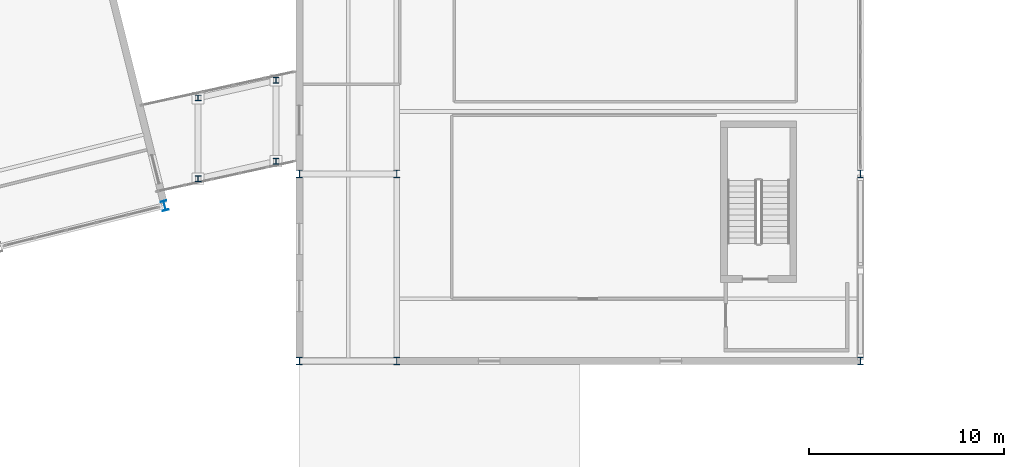
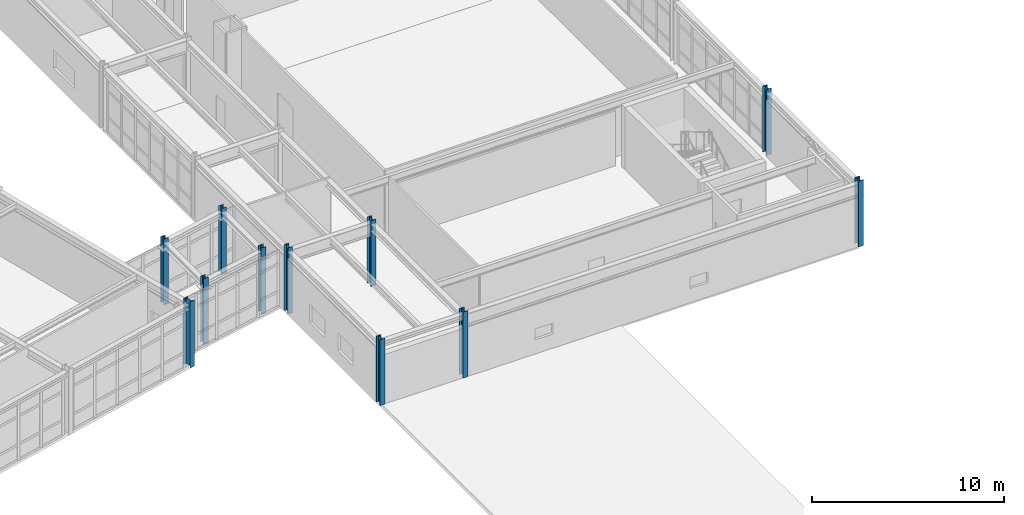
# One storey, part 3 of 88: 11 columns.
"""IFC4 building model written with IfcOpenShell, lengths in metres."""

from ifc_helpers import new_model, si_unit, direction, frame, origin, origin_2d, place, context, subcontext, project, spatial, i_section, extrude, material, material_profile, profile_set, type_object, element, save


model = new_model("IFC4")

# Units and contexts
model_context = context("Model", 3, precision=1e-05, world=origin(), true_north=direction((0.0, 1.0)))
body_context = subcontext(model_context, "Body", "Model", "MODEL_VIEW")
ifc_project = project(units=[si_unit("LENGTHUNIT", "METRE"), si_unit("AREAUNIT", "SQUARE_METRE"), si_unit("VOLUMEUNIT", "CUBIC_METRE"), si_unit("PLANEANGLEUNIT", "RADIAN"), si_unit("MASSUNIT", "GRAM", prefix="KILO")], contexts=[model_context])

# Site, building, storey
site_placement = place(None, origin())
site = spatial("IfcSite", under=ifc_project, at=site_placement, CompositionType="ELEMENT")
building_placement = place(site_placement, origin())
building = spatial("IfcBuilding", under=site, at=building_placement, Name="Nordkorset Police Headquarters", CompositionType="ELEMENT")
storey_placement = place(building_placement, frame((0.0, 0.0, 9.449951171875)))
storey = spatial("IfcBuildingStorey", under=building, at=storey_placement, Name="L02", CompositionType="ELEMENT", Elevation=9.449951171875)

# Columns
ifc_material_1 = material(Name="Steel S355J2", Category="steel")
ifc_material_profile_1 = material_profile(ifc_material_1, i_section(OverallWidth=0.300048828125, OverallDepth=0.300048828125, WebThickness=0.010986328125, FlangeThickness=0.01904296875, FilletRadius=0.027099609375, at=origin_2d()), Name="HEB 300")
ifc_profile_set_1 = profile_set([ifc_material_profile_1], Name="Steel S355J2")
column_type_1 = type_object("IfcColumnType", Name="Col_HEB_300", PredefinedType="COLUMN", material=ifc_profile_set_1)
for number, where, z_axis, x_axis, name in (
    (1, (81.199951171875, 61.5, 0.0), (0.0, 0.0, 1.0), (1.0, 0.0, 0.0), "Courtyard Link Bridge Column BRG_E_W1 L02"),
    (2, (81.199951171875, 57.35009765625, 0.0), (0.0, 0.0, 1.0), (1.0, 0.0, 0.0), "Courtyard Link Bridge Column BRG_E_W2 L02"),
    (3, (85.199951171875, 62.39990234375, 0.0), (0.0, 0.0, 1.0), (1.0, 0.0, 0.0), "Courtyard Link Bridge Column BRG_E_E1 L02"),
    (4, (85.199951171875, 58.25, 0.0), (0.0, 0.0, 1.0), (1.0, 0.0, 0.0), "Courtyard Link Bridge Column BRG_E_E2 L02"),
):
    element("IfcColumn", number, at=place(storey_placement, frame(where, z_axis=z_axis, x_axis=x_axis)), inside=storey, type_object=column_type_1, Name=name, PredefinedType="COLUMN", context=body_context, shape_type="SweptSolid", body=[
        extrude(i_section(OverallWidth=0.300048828125, OverallDepth=0.300048828125, WebThickness=0.010986328125, FlangeThickness=0.01904296875, FilletRadius=0.027099609375, at=origin_2d()), origin(), (0.0, 0.0, 1.0), 4.199951171875),
    ])
ifc_material_2 = material(Name="Steel S355J2", Category="steel")
ifc_material_profile_2 = material_profile(ifc_material_2, i_section(OverallWidth=0.300048828125, OverallDepth=0.39990234375, WebThickness=0.013427734375, FlangeThickness=0.02392578125, FilletRadius=0.027099609375, at=origin_2d()), Name="HEB 400")
ifc_profile_set_2 = profile_set([ifc_material_profile_2], Name="Steel S355J2")
column_type_2 = type_object("IfcColumnType", Name="Col_HEB_400", PredefinedType="COLUMN", material=ifc_profile_set_2)
for number, where, z_axis, x_axis, name in (
    (5, (86.39990234375, 48.0, 0.0), (0.0, 0.0, 1.0), (1.0, 0.0, 0.0), "Structural Column V5_X0_0 L02"),
    (6, (91.39990234375, 48.0, 0.0), (0.0, 0.0, 1.0), (1.0, 0.0, 0.0), "Structural Column V5_X1_0 L02"),
    (7, (115.199951171875, 48.0, 0.0), (0.0, 0.0, 1.0), (1.0, 0.0, 0.0), "Structural Column V5_X2_0 L02"),
    (8, (86.39990234375, 57.60009765625, 0.0), (0.0, 0.0, 1.0), (1.0, 0.0, 0.0), "Structural Column V5_X0_1 L02"),
    (9, (91.39990234375, 57.60009765625, 0.0), (0.0, 0.0, 1.0), (1.0, 0.0, 0.0), "Structural Column V5_X1_1 L02"),
    (10, (115.199951171875, 57.60009765625, 0.0), (0.0, 0.0, 1.0), (1.0, 0.0, 0.0), "Structural Column V5_X2_1 L02"),
):
    element("IfcColumn", number, at=place(storey_placement, frame(where, z_axis=z_axis, x_axis=x_axis)), inside=storey, type_object=column_type_2, Name=name, PredefinedType="COLUMN", context=body_context, shape_type="SweptSolid", body=[
        extrude(i_section(OverallWidth=0.300048828125, OverallDepth=0.39990234375, WebThickness=0.013427734375, FlangeThickness=0.02392578125, FilletRadius=0.027099609375, at=origin_2d()), origin(), (0.0, 0.0, 1.0), 4.199951171875),
    ])
ifc_material_3 = material(Name="Steel S355J2", Category="steel")
ifc_material_profile_3 = material_profile(ifc_material_3, i_section(OverallWidth=0.300048828125, OverallDepth=0.5, WebThickness=0.014404296875, FlangeThickness=0.028076171875, FilletRadius=0.027099609375, at=origin_2d()), Name="HEB 500")
ifc_profile_set_3 = profile_set([ifc_material_profile_3], Name="Steel S355J2")
column_type_3 = type_object("IfcColumnType", Name="Col_HEB_500", PredefinedType="COLUMN", material=ifc_profile_set_3)
column_placement = place(storey_placement, frame((79.480224609375, 55.969970703125, 0.0), z_axis=(0.0, 0.0, 1.0), x_axis=(0.970142500145, 0.242535625038, 0.0)))
element("IfcColumn", 11, at=column_placement, inside=storey, type_object=column_type_3, Name="Structural Column V4_U6_V0 L02", PredefinedType="COLUMN", context=body_context, shape_type="SweptSolid", body=[
    extrude(i_section(OverallWidth=0.300048828125, OverallDepth=0.5, WebThickness=0.014404296875, FlangeThickness=0.028076171875, FilletRadius=0.027099609375, at=origin_2d()), origin(), (0.0, 0.0, 1.0), 4.199951171875),
])

save(model, "model.ifc")
